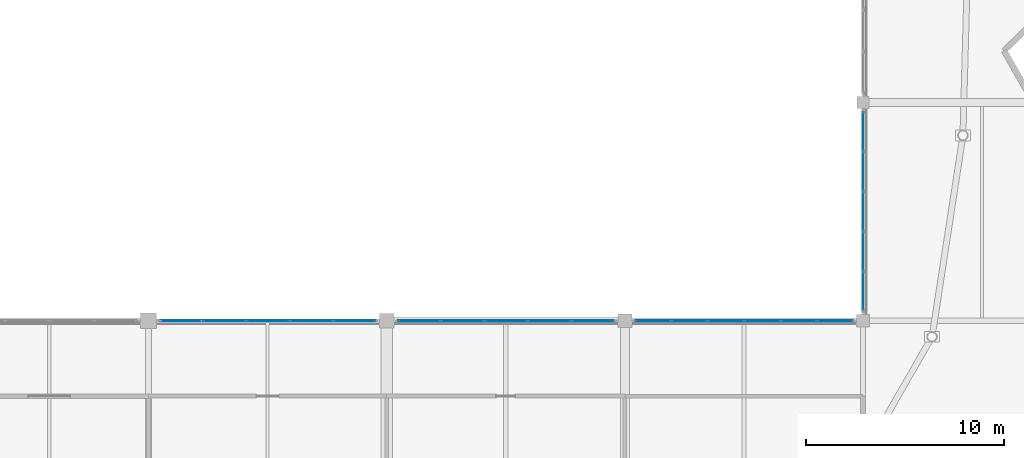
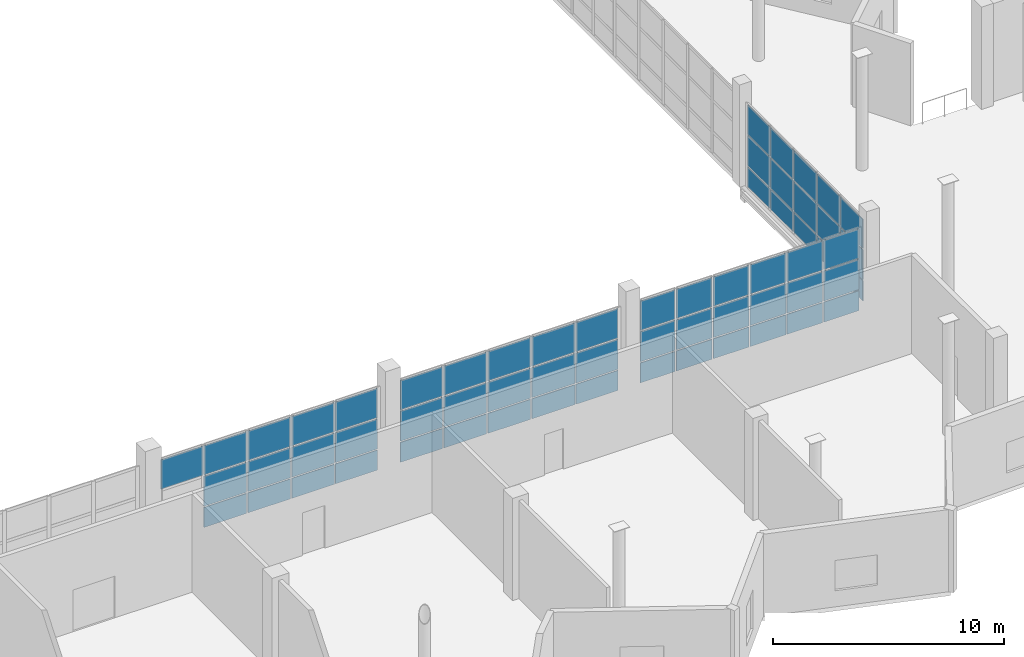
# One storey, part 31 of 49: 61 plates, 4 elements without a shape of their own.
"""IFC4 building model written with IfcOpenShell, lengths in metres."""

import ifcopenshell
import ifcopenshell.guid

model = None  # the IFC model being written
_history = None  # IfcOwnerHistory: only IFC2X3 demands one
_inside = {}  # id of a spatial element -> (the spatial element, [elements in it])
_under = {}  # id of a project, library or spatial element -> (it, [spatial elements below it])
_declared = {}  # id of a project -> (the project, [libraries it declares])
_typed = {}  # id of a type object -> (the type object, [elements of that type])
_made_of = {}  # id of a material, layer set ... -> (it, [elements and type objects made of it])


def new_model(schema):
    """Start an empty IFC model of exactly this schema.

    Asked for "IFC4X3", IfcOpenShell would pick the latest addendum, in which some entities
    have other attributes; the version numbers below select the first issue.
    IFC2X3 requires an IfcOwnerHistory on every rooted entity: one is made here for all.
    """
    global model, _history
    if schema == "IFC4X3":
        model = ifcopenshell.file(schema_version=(4, 3, 0, 0))
    else:
        model = ifcopenshell.file(schema=schema)
    _inside.clear()
    _under.clear()
    _declared.clear()
    _typed.clear()
    _made_of.clear()
    _history = None
    if model.schema == "IFC2X3":
        org = make("IfcOrganization", Name="unknown")
        user = make(
            "IfcPersonAndOrganization",
            ThePerson=make("IfcPerson", FamilyName="unknown"),
            TheOrganization=org,
        )
        app = make(
            "IfcApplication",
            ApplicationDeveloper=org,
            Version="unknown",
            ApplicationFullName="unknown",
            ApplicationIdentifier="unknown",
        )
        _history = make(
            "IfcOwnerHistory",
            OwningUser=user,
            OwningApplication=app,
            ChangeAction="ADDED",
            CreationDate=0,
        )
    return model


def make(cls, **values):
    """One entity of the class cls with the attributes given. An attribute that is None is left unset."""
    return model.create_entity(
        cls, **{name: value for name, value in values.items() if value is not None}
    )


def rooted(cls, **values):
    """An entity with a GlobalId (a new one), such as an element, a storey or a relation."""
    return make(cls, GlobalId=ifcopenshell.guid.new(), OwnerHistory=_history, **values)


def si_unit(unit_type, name, prefix=None):
    """IfcSIUnit, for example si_unit("LENGTHUNIT", "METRE", prefix="MILLI")."""
    return make("IfcSIUnit", UnitType=unit_type, Prefix=prefix, Name=name)


def assignment(units):
    """IfcUnitAssignment: the units of a project."""
    return None if units is None else make("IfcUnitAssignment", Units=units)


def point(xyz):
    """IfcCartesianPoint."""
    return None if xyz is None else make("IfcCartesianPoint", Coordinates=xyz)


def direction(xyz):
    """IfcDirection."""
    return None if xyz is None else make("IfcDirection", DirectionRatios=xyz)


def frame(location, z_axis=None, x_axis=None):
    """IfcAxis2Placement3D, a coordinate frame: its origin and axes. An axis left out is left unset."""
    return make(
        "IfcAxis2Placement3D",
        Location=point(location),
        Axis=direction(z_axis),
        RefDirection=direction(x_axis),
    )


def frame_2d(location, x_axis=None):
    """IfcAxis2Placement2D, a coordinate frame in the plane: its origin and x axis."""
    return make(
        "IfcAxis2Placement2D", Location=point(location), RefDirection=direction(x_axis)
    )


def origin():
    """The frame at (0, 0, 0) with its axes left unset."""
    return frame((0.0, 0.0, 0.0))


def origin_2d():
    """The frame at (0, 0) in the plane with its x axis left unset."""
    return frame_2d((0.0, 0.0))


def place(relative_to, where):
    """IfcLocalPlacement: puts the frame where relative to a parent placement (None: the world)."""
    return make(
        "IfcLocalPlacement", PlacementRelTo=relative_to, RelativePlacement=where
    )


def context(
    kind, dimensions, precision=None, world=None, true_north=None, identifier=None
):
    """IfcGeometricRepresentationContext, for example the 3D "Model" context."""
    return make(
        "IfcGeometricRepresentationContext",
        ContextIdentifier=identifier,
        ContextType=kind,
        CoordinateSpaceDimension=dimensions,
        Precision=precision,
        WorldCoordinateSystem=world,
        TrueNorth=true_north,
    )


def subcontext(parent, identifier, kind, view, scale=None):
    """IfcGeometricRepresentationSubContext, for example "Body" below "Model"."""
    return make(
        "IfcGeometricRepresentationSubContext",
        ContextIdentifier=identifier,
        ContextType=kind,
        ParentContext=parent,
        TargetScale=scale,
        TargetView=view,
    )


def project(units=None, contexts=None):
    """IfcProject with its units and contexts."""
    return rooted(
        "IfcProject",
        Name="project",
        RepresentationContexts=contexts,
        UnitsInContext=assignment(units),
    )


def spatial(cls, under=None, at=None, **own):
    """A site, building, storey or space (cls), placed at a placement, below another one or the project."""
    s = rooted(cls, ObjectPlacement=at, **own)
    if under is not None:
        _under.setdefault(under.id(), (under, []))[1].append(s)
    return s


def profile(cls, at=None, kind="AREA", **sizes):
    """A parametric profile (cls). Its sizes go by their IFC names, for example OverallWidth=200.0."""
    return make(cls, ProfileType=kind, Position=at, **sizes)


def rectangle(**sizes):
    """IfcRectangleProfileDef."""
    return profile("IfcRectangleProfileDef", **sizes)


def extrude(swept, where, along, depth):
    """IfcExtrudedAreaSolid: the profile swept, set in the frame where, extruded along a direction by depth."""
    return make(
        "IfcExtrudedAreaSolid",
        SweptArea=swept,
        Position=where,
        ExtrudedDirection=direction(along),
        Depth=depth,
    )


def shape(context_of_items, identifier, shape_type, items):
    """IfcShapeRepresentation: the items that make up one representation, for example the "Body"."""
    return make(
        "IfcShapeRepresentation",
        ContextOfItems=context_of_items,
        RepresentationIdentifier=identifier,
        RepresentationType=shape_type,
        Items=items,
    )


def material(Name=None, Category=None):
    """IfcMaterial."""
    return make("IfcMaterial", Name=Name, Category=Category)


def layer(
    of_material, thickness, ventilated=None, Name=None, Category=None, Priority=None
):
    """IfcMaterialLayer: one layer of a wall or slab, of a material (None: an air gap)."""
    return make(
        "IfcMaterialLayer",
        Material=of_material,
        LayerThickness=thickness,
        IsVentilated=ventilated,
        Name=Name,
        Category=Category,
        Priority=Priority,
    )


def layer_set(layers, Name=None):
    """IfcMaterialLayerSet."""
    return make("IfcMaterialLayerSet", MaterialLayers=layers, LayerSetName=Name)


def made_of(thing, what):
    """Note that an element or type object is made of a material, layer set ...; save() writes the relation."""
    if what is not None:
        _made_of.setdefault(what.id(), (what, []))[1].append(thing)
    return thing


def type_object(cls, material=None, **own):
    """A type object (cls), such as IfcWallType, which elements share."""
    return made_of(rooted(cls, **own), material)


def element(
    cls,
    number,
    at=None,
    inside=None,
    cuts=None,
    type_object=None,
    material=None,
    context=None,
    identifier="Body",
    shape_type=None,
    held_by="IfcProductDefinitionShape",
    body=None,
    shapes=None,
    **own,
):
    """One element of the class cls, such as IfcWall. Its Tag is "e" and its number.

    at: its placement. inside: the storey or other place that contains it. cuts: it is an
    opening in that element (IfcRelVoidsElement). A single representation is given by context,
    identifier, shape_type and body (its items); several are given by shapes. held_by: the class
    of the entity that holds the representations. save() writes the other relations.
    """
    e = rooted(cls, Tag="e%d" % number, ObjectPlacement=at, **own)
    if body is not None:
        shapes = [shape(context, identifier, shape_type, body)]
    if shapes is not None:
        e.Representation = make(held_by, Representations=shapes)
    if inside is not None:
        _inside.setdefault(inside.id(), (inside, []))[1].append(e)
    if cuts is not None:
        rooted(
            "IfcRelVoidsElement", RelatingBuildingElement=cuts, RelatedOpeningElement=e
        )
    if type_object is not None:
        _typed.setdefault(type_object.id(), (type_object, []))[1].append(e)
    return made_of(e, material)


def aggregate(whole, parts):
    """IfcRelAggregates: a whole, such as a stair, and the parts it consists of."""
    return rooted("IfcRelAggregates", RelatingObject=whole, RelatedObjects=parts)


def save(model, path):
    """Write the relations noted so far, then the file.

    IfcRelAggregates (storeys below a building ...), IfcRelContainedInSpatialStructure (elements
    in a storey), IfcRelDefinesByType, IfcRelAssociatesMaterial and IfcRelDeclares: one each for
    every whole, place, type object, material and project.
    """
    for whole, parts in _under.values():
        aggregate(whole, parts)
    for where, things in _inside.values():
        rooted(
            "IfcRelContainedInSpatialStructure",
            RelatedElements=things,
            RelatingStructure=where,
        )
    for kind, things in _typed.values():
        rooted("IfcRelDefinesByType", RelatedObjects=things, RelatingType=kind)
    for what, things in _made_of.values():
        rooted("IfcRelAssociatesMaterial", RelatedObjects=things, RelatingMaterial=what)
    for by, libraries in _declared.values():
        rooted("IfcRelDeclares", RelatingContext=by, RelatedDefinitions=libraries)
    model.write(path)


model = new_model("IFC4")

# Units and contexts
model_context = context("Model", 3, precision=1e-05, world=origin(), true_north=direction((0.0, 1.0)))
body_context = subcontext(model_context, "Body", "Model", "MODEL_VIEW")
ifc_project = project(units=[si_unit("LENGTHUNIT", "METRE"), si_unit("AREAUNIT", "SQUARE_METRE"), si_unit("VOLUMEUNIT", "CUBIC_METRE"), si_unit("PLANEANGLEUNIT", "RADIAN"), si_unit("MASSUNIT", "GRAM", prefix="KILO")], contexts=[model_context])

# Site, building, storey
site_placement = place(None, origin())
site = spatial("IfcSite", under=ifc_project, at=site_placement, CompositionType="ELEMENT")
building_placement = place(site_placement, origin())
building = spatial("IfcBuilding", under=site, at=building_placement, Name="Luwafu Chhajja Arena", CompositionType="ELEMENT")
storey_placement = place(building_placement, frame((0.0, 0.0, 24.300048828125)))
storey = spatial("IfcBuildingStorey", under=building, at=storey_placement, Name="L05", CompositionType="ELEMENT", Elevation=24.300048828125)

# Curtain wall, plates
ifc_material_1 = material(Name="Anodised bronze aluminium", Category="aluminium")
curtain_wall_type = type_object("IfcCurtainWallType", Name="VIP Club Terrace Curtain Wall", PredefinedType="USERDEFINED", material=ifc_material_1)
curtain_wall_1_placement = place(storey_placement, origin())
curtain_wall_1 = element("IfcCurtainWall", 1, at=curtain_wall_1_placement, inside=storey, type_object=curtain_wall_type, Name="L05 Bowl Viewing Curtain Wall CWR-L05-05", ObjectType="CURTAIN WALL", PredefinedType="USERDEFINED")
ifc_material_2 = material(Name="Solar-control laminated glass", Category="glass")
ifc_layer = layer(ifc_material_2, 0.035888671875, Name="Solar-control laminated glass")
ifc_layer_set = layer_set([ifc_layer], Name="Solar-control laminated glass")
plate_type = type_object("IfcPlateType", Name="Acoustic Broadcast Double Glazed CW Panel 36", PredefinedType="CURTAIN_PANEL", material=ifc_layer_set)
plate_1_placement = place(storey_placement, frame((105.650634765625, 22.0, 2.83251953125), z_axis=(0.0, 0.0, 1.0), x_axis=(1.0, 0.0, 0.0)))
plate_1 = element("IfcPlate", 2, at=plate_1_placement, type_object=plate_type, Name="CW-10 panel 1.3", PredefinedType="CURTAIN_PANEL", context=body_context, shape_type="SweptSolid", body=[
    extrude(rectangle(XDim=2.091552734375, YDim=0.035888671875, at=origin_2d()), origin(), (0.0, 0.0, 1.0), 1.552490234375),
])
plate_2_placement = place(storey_placement, frame((107.823486328125, 22.0, 0.06494140625), z_axis=(0.0, 0.0, 1.0), x_axis=(1.0, 0.0, 0.0)))
plate_2 = element("IfcPlate", 3, at=plate_2_placement, type_object=plate_type, Name="CW-10 panel 2.1", PredefinedType="CURTAIN_PANEL", context=body_context, shape_type="SweptSolid", body=[
    extrude(rectangle(XDim=2.1240234375, YDim=0.035888671875, at=origin_2d()), origin(), (0.0, 0.0, 1.0), 1.052490234375),
])
plate_3_placement = place(storey_placement, frame((107.823486328125, 22.0, 1.182373046875), z_axis=(0.0, 0.0, 1.0), x_axis=(1.0, 0.0, 0.0)))
plate_3 = element("IfcPlate", 4, at=plate_3_placement, type_object=plate_type, Name="CW-10 panel 2.2", PredefinedType="CURTAIN_PANEL", context=body_context, shape_type="SweptSolid", body=[
    extrude(rectangle(XDim=2.1240234375, YDim=0.035888671875, at=origin_2d()), origin(), (0.0, 0.0, 1.0), 1.5849609375),
])
plate_4_placement = place(storey_placement, frame((107.823486328125, 22.0, 2.83251953125), z_axis=(0.0, 0.0, 1.0), x_axis=(1.0, 0.0, 0.0)))
plate_4 = element("IfcPlate", 5, at=plate_4_placement, type_object=plate_type, Name="CW-10 panel 2.3", PredefinedType="CURTAIN_PANEL", context=body_context, shape_type="SweptSolid", body=[
    extrude(rectangle(XDim=2.1240234375, YDim=0.035888671875, at=origin_2d()), origin(), (0.0, 0.0, 1.0), 1.552490234375),
])
plate_5_placement = place(storey_placement, frame((110.012451171875, 22.0, 0.06494140625), z_axis=(0.0, 0.0, 1.0), x_axis=(1.0, 0.0, 0.0)))
plate_5 = element("IfcPlate", 6, at=plate_5_placement, type_object=plate_type, Name="CW-10 panel 3.1", PredefinedType="CURTAIN_PANEL", context=body_context, shape_type="SweptSolid", body=[
    extrude(rectangle(XDim=2.1240234375, YDim=0.035888671875, at=origin_2d()), origin(), (0.0, 0.0, 1.0), 1.052490234375),
])
plate_6_placement = place(storey_placement, frame((110.012451171875, 22.0, 1.182373046875), z_axis=(0.0, 0.0, 1.0), x_axis=(1.0, 0.0, 0.0)))
plate_6 = element("IfcPlate", 7, at=plate_6_placement, type_object=plate_type, Name="CW-10 panel 3.2", PredefinedType="CURTAIN_PANEL", context=body_context, shape_type="SweptSolid", body=[
    extrude(rectangle(XDim=2.1240234375, YDim=0.035888671875, at=origin_2d()), origin(), (0.0, 0.0, 1.0), 1.5849609375),
])
plate_7_placement = place(storey_placement, frame((110.012451171875, 22.0, 2.83251953125), z_axis=(0.0, 0.0, 1.0), x_axis=(1.0, 0.0, 0.0)))
plate_7 = element("IfcPlate", 8, at=plate_7_placement, type_object=plate_type, Name="CW-10 panel 3.3", PredefinedType="CURTAIN_PANEL", context=body_context, shape_type="SweptSolid", body=[
    extrude(rectangle(XDim=2.1240234375, YDim=0.035888671875, at=origin_2d()), origin(), (0.0, 0.0, 1.0), 1.552490234375),
])
plate_8_placement = place(storey_placement, frame((112.201416015625, 22.0, 0.06494140625), z_axis=(0.0, 0.0, 1.0), x_axis=(1.0, 0.0, 0.0)))
plate_8 = element("IfcPlate", 9, at=plate_8_placement, type_object=plate_type, Name="CW-10 panel 4.1", PredefinedType="CURTAIN_PANEL", context=body_context, shape_type="SweptSolid", body=[
    extrude(rectangle(XDim=2.1240234375, YDim=0.035888671875, at=origin_2d()), origin(), (0.0, 0.0, 1.0), 1.052490234375),
])
plate_9_placement = place(storey_placement, frame((112.201416015625, 22.0, 1.182373046875), z_axis=(0.0, 0.0, 1.0), x_axis=(1.0, 0.0, 0.0)))
plate_9 = element("IfcPlate", 10, at=plate_9_placement, type_object=plate_type, Name="CW-10 panel 4.2", PredefinedType="CURTAIN_PANEL", context=body_context, shape_type="SweptSolid", body=[
    extrude(rectangle(XDim=2.1240234375, YDim=0.035888671875, at=origin_2d()), origin(), (0.0, 0.0, 1.0), 1.5849609375),
])
plate_10_placement = place(storey_placement, frame((112.201416015625, 22.0, 2.83251953125), z_axis=(0.0, 0.0, 1.0), x_axis=(1.0, 0.0, 0.0)))
plate_10 = element("IfcPlate", 11, at=plate_10_placement, type_object=plate_type, Name="CW-10 panel 4.3", PredefinedType="CURTAIN_PANEL", context=body_context, shape_type="SweptSolid", body=[
    extrude(rectangle(XDim=2.1240234375, YDim=0.035888671875, at=origin_2d()), origin(), (0.0, 0.0, 1.0), 1.552490234375),
])
plate_11_placement = place(storey_placement, frame((114.374267578125, 22.0, 0.06494140625), z_axis=(0.0, 0.0, 1.0), x_axis=(1.0, 0.0, 0.0)))
plate_11 = element("IfcPlate", 12, at=plate_11_placement, type_object=plate_type, Name="CW-10 panel 5.1", PredefinedType="CURTAIN_PANEL", context=body_context, shape_type="SweptSolid", body=[
    extrude(rectangle(XDim=2.091552734375, YDim=0.035888671875, at=origin_2d()), origin(), (0.0, 0.0, 1.0), 1.052490234375),
])
plate_12_placement = place(storey_placement, frame((114.374267578125, 22.0, 1.182373046875), z_axis=(0.0, 0.0, 1.0), x_axis=(1.0, 0.0, 0.0)))
plate_12 = element("IfcPlate", 13, at=plate_12_placement, type_object=plate_type, Name="CW-10 panel 5.2", PredefinedType="CURTAIN_PANEL", context=body_context, shape_type="SweptSolid", body=[
    extrude(rectangle(XDim=2.091552734375, YDim=0.035888671875, at=origin_2d()), origin(), (0.0, 0.0, 1.0), 1.5849609375),
])
plate_13_placement = place(storey_placement, frame((114.374267578125, 22.0, 2.83251953125), z_axis=(0.0, 0.0, 1.0), x_axis=(1.0, 0.0, 0.0)))
plate_13 = element("IfcPlate", 14, at=plate_13_placement, type_object=plate_type, Name="CW-10 panel 5.3", PredefinedType="CURTAIN_PANEL", context=body_context, shape_type="SweptSolid", body=[
    extrude(rectangle(XDim=2.091552734375, YDim=0.035888671875, at=origin_2d()), origin(), (0.0, 0.0, 1.0), 1.552490234375),
])
aggregate(curtain_wall_1, [plate_1, plate_2, plate_3, plate_4, plate_5, plate_6, plate_7, plate_8, plate_9, plate_10, plate_11, plate_12, plate_13])

curtain_wall_2_placement = place(storey_placement, origin())
curtain_wall_2 = element("IfcCurtainWall", 15, at=curtain_wall_2_placement, inside=storey, type_object=curtain_wall_type, Name="L05 Bowl Viewing Curtain Wall CWR-L05-06", ObjectType="CURTAIN WALL", PredefinedType="USERDEFINED")
plate_14_placement = place(storey_placement, frame((117.630859375, 22.0, 0.06494140625), z_axis=(0.0, 0.0, 1.0), x_axis=(1.0, 0.0, 0.0)))
plate_14 = element("IfcPlate", 16, at=plate_14_placement, type_object=plate_type, Name="CW-10 panel 1.1", PredefinedType="CURTAIN_PANEL", context=body_context, shape_type="SweptSolid", body=[
    extrude(rectangle(XDim=2.1015625, YDim=0.035888671875, at=origin_2d()), origin(), (0.0, 0.0, 1.0), 1.052490234375),
])
plate_15_placement = place(storey_placement, frame((117.630859375, 22.0, 1.182373046875), z_axis=(0.0, 0.0, 1.0), x_axis=(1.0, 0.0, 0.0)))
plate_15 = element("IfcPlate", 17, at=plate_15_placement, type_object=plate_type, Name="CW-10 panel 1.2", PredefinedType="CURTAIN_PANEL", context=body_context, shape_type="SweptSolid", body=[
    extrude(rectangle(XDim=2.1015625, YDim=0.035888671875, at=origin_2d()), origin(), (0.0, 0.0, 1.0), 1.5849609375),
])
plate_16_placement = place(storey_placement, frame((117.630859375, 22.0, 2.83251953125), z_axis=(0.0, 0.0, 1.0), x_axis=(1.0, 0.0, 0.0)))
plate_16 = element("IfcPlate", 18, at=plate_16_placement, type_object=plate_type, Name="CW-10 panel 1.3", PredefinedType="CURTAIN_PANEL", context=body_context, shape_type="SweptSolid", body=[
    extrude(rectangle(XDim=2.1015625, YDim=0.035888671875, at=origin_2d()), origin(), (0.0, 0.0, 1.0), 1.552490234375),
])
plate_17_placement = place(storey_placement, frame((119.8134765625, 22.0, 0.06494140625), z_axis=(0.0, 0.0, 1.0), x_axis=(1.0, 0.0, 0.0)))
plate_17 = element("IfcPlate", 19, at=plate_17_placement, type_object=plate_type, Name="CW-10 panel 2.1", PredefinedType="CURTAIN_PANEL", context=body_context, shape_type="SweptSolid", body=[
    extrude(rectangle(XDim=2.134033203125, YDim=0.035888671875, at=origin_2d()), origin(), (0.0, 0.0, 1.0), 1.052490234375),
])
plate_18_placement = place(storey_placement, frame((119.8134765625, 22.0, 1.182373046875), z_axis=(0.0, 0.0, 1.0), x_axis=(1.0, 0.0, 0.0)))
plate_18 = element("IfcPlate", 20, at=plate_18_placement, type_object=plate_type, Name="CW-10 panel 2.2", PredefinedType="CURTAIN_PANEL", context=body_context, shape_type="SweptSolid", body=[
    extrude(rectangle(XDim=2.134033203125, YDim=0.035888671875, at=origin_2d()), origin(), (0.0, 0.0, 1.0), 1.5849609375),
])
plate_19_placement = place(storey_placement, frame((119.8134765625, 22.0, 2.83251953125), z_axis=(0.0, 0.0, 1.0), x_axis=(1.0, 0.0, 0.0)))
plate_19 = element("IfcPlate", 21, at=plate_19_placement, type_object=plate_type, Name="CW-10 panel 2.3", PredefinedType="CURTAIN_PANEL", context=body_context, shape_type="SweptSolid", body=[
    extrude(rectangle(XDim=2.134033203125, YDim=0.035888671875, at=origin_2d()), origin(), (0.0, 0.0, 1.0), 1.552490234375),
])
plate_20_placement = place(storey_placement, frame((122.012451171875, 22.0, 0.06494140625), z_axis=(0.0, 0.0, 1.0), x_axis=(1.0, 0.0, 0.0)))
plate_20 = element("IfcPlate", 22, at=plate_20_placement, type_object=plate_type, Name="CW-10 panel 3.1", PredefinedType="CURTAIN_PANEL", context=body_context, shape_type="SweptSolid", body=[
    extrude(rectangle(XDim=2.134033203125, YDim=0.035888671875, at=origin_2d()), origin(), (0.0, 0.0, 1.0), 1.052490234375),
])
plate_21_placement = place(storey_placement, frame((122.012451171875, 22.0, 1.182373046875), z_axis=(0.0, 0.0, 1.0), x_axis=(1.0, 0.0, 0.0)))
plate_21 = element("IfcPlate", 23, at=plate_21_placement, type_object=plate_type, Name="CW-10 panel 3.2", PredefinedType="CURTAIN_PANEL", context=body_context, shape_type="SweptSolid", body=[
    extrude(rectangle(XDim=2.134033203125, YDim=0.035888671875, at=origin_2d()), origin(), (0.0, 0.0, 1.0), 1.5849609375),
])
plate_22_placement = place(storey_placement, frame((122.012451171875, 22.0, 2.83251953125), z_axis=(0.0, 0.0, 1.0), x_axis=(1.0, 0.0, 0.0)))
plate_22 = element("IfcPlate", 24, at=plate_22_placement, type_object=plate_type, Name="CW-10 panel 3.3", PredefinedType="CURTAIN_PANEL", context=body_context, shape_type="SweptSolid", body=[
    extrude(rectangle(XDim=2.134033203125, YDim=0.035888671875, at=origin_2d()), origin(), (0.0, 0.0, 1.0), 1.552490234375),
])
plate_23_placement = place(storey_placement, frame((124.21142578125, 22.0, 0.06494140625), z_axis=(0.0, 0.0, 1.0), x_axis=(1.0, 0.0, 0.0)))
plate_23 = element("IfcPlate", 25, at=plate_23_placement, type_object=plate_type, Name="CW-10 panel 4.1", PredefinedType="CURTAIN_PANEL", context=body_context, shape_type="SweptSolid", body=[
    extrude(rectangle(XDim=2.134033203125, YDim=0.035888671875, at=origin_2d()), origin(), (0.0, 0.0, 1.0), 1.052490234375),
])
plate_24_placement = place(storey_placement, frame((124.21142578125, 22.0, 1.182373046875), z_axis=(0.0, 0.0, 1.0), x_axis=(1.0, 0.0, 0.0)))
plate_24 = element("IfcPlate", 26, at=plate_24_placement, type_object=plate_type, Name="CW-10 panel 4.2", PredefinedType="CURTAIN_PANEL", context=body_context, shape_type="SweptSolid", body=[
    extrude(rectangle(XDim=2.134033203125, YDim=0.035888671875, at=origin_2d()), origin(), (0.0, 0.0, 1.0), 1.5849609375),
])
plate_25_placement = place(storey_placement, frame((124.21142578125, 22.0, 2.83251953125), z_axis=(0.0, 0.0, 1.0), x_axis=(1.0, 0.0, 0.0)))
plate_25 = element("IfcPlate", 27, at=plate_25_placement, type_object=plate_type, Name="CW-10 panel 4.3", PredefinedType="CURTAIN_PANEL", context=body_context, shape_type="SweptSolid", body=[
    extrude(rectangle(XDim=2.134033203125, YDim=0.035888671875, at=origin_2d()), origin(), (0.0, 0.0, 1.0), 1.552490234375),
])
plate_26_placement = place(storey_placement, frame((126.394287109375, 22.0, 0.06494140625), z_axis=(0.0, 0.0, 1.0), x_axis=(1.0, 0.0, 0.0)))
plate_26 = element("IfcPlate", 28, at=plate_26_placement, type_object=plate_type, Name="CW-10 panel 5.1", PredefinedType="CURTAIN_PANEL", context=body_context, shape_type="SweptSolid", body=[
    extrude(rectangle(XDim=2.1015625, YDim=0.035888671875, at=origin_2d()), origin(), (0.0, 0.0, 1.0), 1.052490234375),
])
plate_27_placement = place(storey_placement, frame((126.394287109375, 22.0, 1.182373046875), z_axis=(0.0, 0.0, 1.0), x_axis=(1.0, 0.0, 0.0)))
plate_27 = element("IfcPlate", 29, at=plate_27_placement, type_object=plate_type, Name="CW-10 panel 5.2", PredefinedType="CURTAIN_PANEL", context=body_context, shape_type="SweptSolid", body=[
    extrude(rectangle(XDim=2.1015625, YDim=0.035888671875, at=origin_2d()), origin(), (0.0, 0.0, 1.0), 1.5849609375),
])
plate_28_placement = place(storey_placement, frame((126.394287109375, 22.0, 2.83251953125), z_axis=(0.0, 0.0, 1.0), x_axis=(1.0, 0.0, 0.0)))
plate_28 = element("IfcPlate", 30, at=plate_28_placement, type_object=plate_type, Name="CW-10 panel 5.3", PredefinedType="CURTAIN_PANEL", context=body_context, shape_type="SweptSolid", body=[
    extrude(rectangle(XDim=2.1015625, YDim=0.035888671875, at=origin_2d()), origin(), (0.0, 0.0, 1.0), 1.552490234375),
])
aggregate(curtain_wall_2, [plate_14, plate_15, plate_16, plate_17, plate_18, plate_19, plate_20, plate_21, plate_22, plate_23, plate_24, plate_25, plate_26, plate_27, plate_28])

curtain_wall_3_placement = place(storey_placement, origin())
curtain_wall_3 = element("IfcCurtainWall", 31, at=curtain_wall_3_placement, inside=storey, type_object=curtain_wall_type, Name="L05 Bowl Viewing Curtain Wall CWR-L05-07", ObjectType="CURTAIN WALL", PredefinedType="USERDEFINED")
plate_29_placement = place(storey_placement, frame((129.4267578125, 22.0, 0.06494140625), z_axis=(0.0, 0.0, 1.0), x_axis=(1.0, 0.0, 0.0)))
plate_29 = element("IfcPlate", 32, at=plate_29_placement, type_object=plate_type, Name="CW-10 panel 1.1", PredefinedType="CURTAIN_PANEL", context=body_context, shape_type="SweptSolid", body=[
    extrude(rectangle(XDim=1.743408203125, YDim=0.035888671875, at=origin_2d()), origin(), (0.0, 0.0, 1.0), 1.052490234375),
])
plate_30_placement = place(storey_placement, frame((129.4267578125, 22.0, 1.182373046875), z_axis=(0.0, 0.0, 1.0), x_axis=(1.0, 0.0, 0.0)))
plate_30 = element("IfcPlate", 33, at=plate_30_placement, type_object=plate_type, Name="CW-10 panel 1.2", PredefinedType="CURTAIN_PANEL", context=body_context, shape_type="SweptSolid", body=[
    extrude(rectangle(XDim=1.743408203125, YDim=0.035888671875, at=origin_2d()), origin(), (0.0, 0.0, 1.0), 1.5849609375),
])
plate_31_placement = place(storey_placement, frame((129.4267578125, 22.0, 2.83251953125), z_axis=(0.0, 0.0, 1.0), x_axis=(1.0, 0.0, 0.0)))
plate_31 = element("IfcPlate", 34, at=plate_31_placement, type_object=plate_type, Name="CW-10 panel 1.3", PredefinedType="CURTAIN_PANEL", context=body_context, shape_type="SweptSolid", body=[
    extrude(rectangle(XDim=1.743408203125, YDim=0.035888671875, at=origin_2d()), origin(), (0.0, 0.0, 1.0), 1.552490234375),
])
plate_32_placement = place(storey_placement, frame((131.251220703125, 22.0, 0.06494140625), z_axis=(0.0, 0.0, 1.0), x_axis=(1.0, 0.0, 0.0)))
plate_32 = element("IfcPlate", 35, at=plate_32_placement, type_object=plate_type, Name="CW-10 panel 2.1", PredefinedType="CURTAIN_PANEL", context=body_context, shape_type="SweptSolid", body=[
    extrude(rectangle(XDim=1.77587890625, YDim=0.035888671875, at=origin_2d()), origin(), (0.0, 0.0, 1.0), 1.052490234375),
])
plate_33_placement = place(storey_placement, frame((131.251220703125, 22.0, 1.182373046875), z_axis=(0.0, 0.0, 1.0), x_axis=(1.0, 0.0, 0.0)))
plate_33 = element("IfcPlate", 36, at=plate_33_placement, type_object=plate_type, Name="CW-10 panel 2.2", PredefinedType="CURTAIN_PANEL", context=body_context, shape_type="SweptSolid", body=[
    extrude(rectangle(XDim=1.77587890625, YDim=0.035888671875, at=origin_2d()), origin(), (0.0, 0.0, 1.0), 1.5849609375),
])
plate_34_placement = place(storey_placement, frame((131.251220703125, 22.0, 2.83251953125), z_axis=(0.0, 0.0, 1.0), x_axis=(1.0, 0.0, 0.0)))
plate_34 = element("IfcPlate", 37, at=plate_34_placement, type_object=plate_type, Name="CW-10 panel 2.3", PredefinedType="CURTAIN_PANEL", context=body_context, shape_type="SweptSolid", body=[
    extrude(rectangle(XDim=1.77587890625, YDim=0.035888671875, at=origin_2d()), origin(), (0.0, 0.0, 1.0), 1.552490234375),
])
plate_35_placement = place(storey_placement, frame((133.092041015625, 22.0, 0.06494140625), z_axis=(0.0, 0.0, 1.0), x_axis=(1.0, 0.0, 0.0)))
plate_35 = element("IfcPlate", 38, at=plate_35_placement, type_object=plate_type, Name="CW-10 panel 3.1", PredefinedType="CURTAIN_PANEL", context=body_context, shape_type="SweptSolid", body=[
    extrude(rectangle(XDim=1.77587890625, YDim=0.035888671875, at=origin_2d()), origin(), (0.0, 0.0, 1.0), 1.052490234375),
])
plate_36_placement = place(storey_placement, frame((133.092041015625, 22.0, 1.182373046875), z_axis=(0.0, 0.0, 1.0), x_axis=(1.0, 0.0, 0.0)))
plate_36 = element("IfcPlate", 39, at=plate_36_placement, type_object=plate_type, Name="CW-10 panel 3.2", PredefinedType="CURTAIN_PANEL", context=body_context, shape_type="SweptSolid", body=[
    extrude(rectangle(XDim=1.77587890625, YDim=0.035888671875, at=origin_2d()), origin(), (0.0, 0.0, 1.0), 1.5849609375),
])
plate_37_placement = place(storey_placement, frame((133.092041015625, 22.0, 2.83251953125), z_axis=(0.0, 0.0, 1.0), x_axis=(1.0, 0.0, 0.0)))
plate_37 = element("IfcPlate", 40, at=plate_37_placement, type_object=plate_type, Name="CW-10 panel 3.3", PredefinedType="CURTAIN_PANEL", context=body_context, shape_type="SweptSolid", body=[
    extrude(rectangle(XDim=1.77587890625, YDim=0.035888671875, at=origin_2d()), origin(), (0.0, 0.0, 1.0), 1.552490234375),
])
plate_38_placement = place(storey_placement, frame((134.932861328125, 22.0, 0.06494140625), z_axis=(0.0, 0.0, 1.0), x_axis=(1.0, 0.0, 0.0)))
plate_38 = element("IfcPlate", 41, at=plate_38_placement, type_object=plate_type, Name="CW-10 panel 4.1", PredefinedType="CURTAIN_PANEL", context=body_context, shape_type="SweptSolid", body=[
    extrude(rectangle(XDim=1.77587890625, YDim=0.035888671875, at=origin_2d()), origin(), (0.0, 0.0, 1.0), 1.052490234375),
])
plate_39_placement = place(storey_placement, frame((134.932861328125, 22.0, 1.182373046875), z_axis=(0.0, 0.0, 1.0), x_axis=(1.0, 0.0, 0.0)))
plate_39 = element("IfcPlate", 42, at=plate_39_placement, type_object=plate_type, Name="CW-10 panel 4.2", PredefinedType="CURTAIN_PANEL", context=body_context, shape_type="SweptSolid", body=[
    extrude(rectangle(XDim=1.77587890625, YDim=0.035888671875, at=origin_2d()), origin(), (0.0, 0.0, 1.0), 1.5849609375),
])
plate_40_placement = place(storey_placement, frame((134.932861328125, 22.0, 2.83251953125), z_axis=(0.0, 0.0, 1.0), x_axis=(1.0, 0.0, 0.0)))
plate_40 = element("IfcPlate", 43, at=plate_40_placement, type_object=plate_type, Name="CW-10 panel 4.3", PredefinedType="CURTAIN_PANEL", context=body_context, shape_type="SweptSolid", body=[
    extrude(rectangle(XDim=1.77587890625, YDim=0.035888671875, at=origin_2d()), origin(), (0.0, 0.0, 1.0), 1.552490234375),
])
plate_41_placement = place(storey_placement, frame((136.773681640625, 22.0, 0.06494140625), z_axis=(0.0, 0.0, 1.0), x_axis=(1.0, 0.0, 0.0)))
plate_41 = element("IfcPlate", 44, at=plate_41_placement, type_object=plate_type, Name="CW-10 panel 5.1", PredefinedType="CURTAIN_PANEL", context=body_context, shape_type="SweptSolid", body=[
    extrude(rectangle(XDim=1.77587890625, YDim=0.035888671875, at=origin_2d()), origin(), (0.0, 0.0, 1.0), 1.052490234375),
])
plate_42_placement = place(storey_placement, frame((136.773681640625, 22.0, 1.182373046875), z_axis=(0.0, 0.0, 1.0), x_axis=(1.0, 0.0, 0.0)))
plate_42 = element("IfcPlate", 45, at=plate_42_placement, type_object=plate_type, Name="CW-10 panel 5.2", PredefinedType="CURTAIN_PANEL", context=body_context, shape_type="SweptSolid", body=[
    extrude(rectangle(XDim=1.77587890625, YDim=0.035888671875, at=origin_2d()), origin(), (0.0, 0.0, 1.0), 1.5849609375),
])
plate_43_placement = place(storey_placement, frame((136.773681640625, 22.0, 2.83251953125), z_axis=(0.0, 0.0, 1.0), x_axis=(1.0, 0.0, 0.0)))
plate_43 = element("IfcPlate", 46, at=plate_43_placement, type_object=plate_type, Name="CW-10 panel 5.3", PredefinedType="CURTAIN_PANEL", context=body_context, shape_type="SweptSolid", body=[
    extrude(rectangle(XDim=1.77587890625, YDim=0.035888671875, at=origin_2d()), origin(), (0.0, 0.0, 1.0), 1.552490234375),
])
plate_44_placement = place(storey_placement, frame((138.598388671875, 22.0, 0.06494140625), z_axis=(0.0, 0.0, 1.0), x_axis=(1.0, 0.0, 0.0)))
plate_44 = element("IfcPlate", 47, at=plate_44_placement, type_object=plate_type, Name="CW-10 panel 6.1", PredefinedType="CURTAIN_PANEL", context=body_context, shape_type="SweptSolid", body=[
    extrude(rectangle(XDim=1.743408203125, YDim=0.035888671875, at=origin_2d()), origin(), (0.0, 0.0, 1.0), 1.052490234375),
])
plate_45_placement = place(storey_placement, frame((138.598388671875, 22.0, 1.182373046875), z_axis=(0.0, 0.0, 1.0), x_axis=(1.0, 0.0, 0.0)))
plate_45 = element("IfcPlate", 48, at=plate_45_placement, type_object=plate_type, Name="CW-10 panel 6.2", PredefinedType="CURTAIN_PANEL", context=body_context, shape_type="SweptSolid", body=[
    extrude(rectangle(XDim=1.743408203125, YDim=0.035888671875, at=origin_2d()), origin(), (0.0, 0.0, 1.0), 1.5849609375),
])
plate_46_placement = place(storey_placement, frame((138.598388671875, 22.0, 2.83251953125), z_axis=(0.0, 0.0, 1.0), x_axis=(1.0, 0.0, 0.0)))
plate_46 = element("IfcPlate", 49, at=plate_46_placement, type_object=plate_type, Name="CW-10 panel 6.3", PredefinedType="CURTAIN_PANEL", context=body_context, shape_type="SweptSolid", body=[
    extrude(rectangle(XDim=1.743408203125, YDim=0.035888671875, at=origin_2d()), origin(), (0.0, 0.0, 1.0), 1.552490234375),
])
aggregate(curtain_wall_3, [plate_29, plate_30, plate_31, plate_32, plate_33, plate_34, plate_35, plate_36, plate_37, plate_38, plate_39, plate_40, plate_41, plate_42, plate_43, plate_44, plate_45, plate_46])

curtain_wall_4_placement = place(storey_placement, origin())
curtain_wall_4 = element("IfcCurtainWall", 50, at=curtain_wall_4_placement, inside=storey, type_object=curtain_wall_type, Name="L05 Bowl Viewing Curtain Wall CWR-L05-20", ObjectType="CURTAIN WALL", PredefinedType="USERDEFINED")
plate_47_placement = place(storey_placement, frame((140.0, 23.49072265625, 0.06494140625), z_axis=(0.0, 0.0, 1.0), x_axis=(0.0, 1.0, 0.0)))
plate_47 = element("IfcPlate", 51, at=plate_47_placement, type_object=plate_type, Name="CW-10 panel 1.1", PredefinedType="CURTAIN_PANEL", context=body_context, shape_type="SweptSolid", body=[
    extrude(rectangle(XDim=1.92138671875, YDim=0.035888671875, at=origin_2d()), origin(), (0.0, 0.0, 1.0), 1.052490234375),
])
plate_48_placement = place(storey_placement, frame((140.0, 23.49072265625, 1.182373046875), z_axis=(0.0, 0.0, 1.0), x_axis=(0.0, 1.0, 0.0)))
plate_48 = element("IfcPlate", 52, at=plate_48_placement, type_object=plate_type, Name="CW-10 panel 1.2", PredefinedType="CURTAIN_PANEL", context=body_context, shape_type="SweptSolid", body=[
    extrude(rectangle(XDim=1.92138671875, YDim=0.035888671875, at=origin_2d()), origin(), (0.0, 0.0, 1.0), 1.5849609375),
])
plate_49_placement = place(storey_placement, frame((140.0, 23.49072265625, 2.83251953125), z_axis=(0.0, 0.0, 1.0), x_axis=(0.0, 1.0, 0.0)))
plate_49 = element("IfcPlate", 53, at=plate_49_placement, type_object=plate_type, Name="CW-10 panel 1.3", PredefinedType="CURTAIN_PANEL", context=body_context, shape_type="SweptSolid", body=[
    extrude(rectangle(XDim=1.92138671875, YDim=0.035888671875, at=origin_2d()), origin(), (0.0, 0.0, 1.0), 1.552490234375),
])
plate_50_placement = place(storey_placement, frame((140.0, 25.493408203125, 0.06494140625), z_axis=(0.0, 0.0, 1.0), x_axis=(0.0, 1.0, 0.0)))
plate_50 = element("IfcPlate", 54, at=plate_50_placement, type_object=plate_type, Name="CW-10 panel 2.1", PredefinedType="CURTAIN_PANEL", context=body_context, shape_type="SweptSolid", body=[
    extrude(rectangle(XDim=1.9541015625, YDim=0.035888671875, at=origin_2d()), origin(), (0.0, 0.0, 1.0), 1.052490234375),
])
plate_51_placement = place(storey_placement, frame((140.0, 25.493408203125, 1.182373046875), z_axis=(0.0, 0.0, 1.0), x_axis=(0.0, 1.0, 0.0)))
plate_51 = element("IfcPlate", 55, at=plate_51_placement, type_object=plate_type, Name="CW-10 panel 2.2", PredefinedType="CURTAIN_PANEL", context=body_context, shape_type="SweptSolid", body=[
    extrude(rectangle(XDim=1.9541015625, YDim=0.035888671875, at=origin_2d()), origin(), (0.0, 0.0, 1.0), 1.5849609375),
])
plate_52_placement = place(storey_placement, frame((140.0, 25.493408203125, 2.83251953125), z_axis=(0.0, 0.0, 1.0), x_axis=(0.0, 1.0, 0.0)))
plate_52 = element("IfcPlate", 56, at=plate_52_placement, type_object=plate_type, Name="CW-10 panel 2.3", PredefinedType="CURTAIN_PANEL", context=body_context, shape_type="SweptSolid", body=[
    extrude(rectangle(XDim=1.9541015625, YDim=0.035888671875, at=origin_2d()), origin(), (0.0, 0.0, 1.0), 1.552490234375),
])
plate_53_placement = place(storey_placement, frame((140.0, 27.512451171875, 0.06494140625), z_axis=(0.0, 0.0, 1.0), x_axis=(0.0, 1.0, 0.0)))
plate_53 = element("IfcPlate", 57, at=plate_53_placement, type_object=plate_type, Name="CW-10 panel 3.1", PredefinedType="CURTAIN_PANEL", context=body_context, shape_type="SweptSolid", body=[
    extrude(rectangle(XDim=1.9541015625, YDim=0.035888671875, at=origin_2d()), origin(), (0.0, 0.0, 1.0), 1.052490234375),
])
plate_54_placement = place(storey_placement, frame((140.0, 27.512451171875, 1.182373046875), z_axis=(0.0, 0.0, 1.0), x_axis=(0.0, 1.0, 0.0)))
plate_54 = element("IfcPlate", 58, at=plate_54_placement, type_object=plate_type, Name="CW-10 panel 3.2", PredefinedType="CURTAIN_PANEL", context=body_context, shape_type="SweptSolid", body=[
    extrude(rectangle(XDim=1.9541015625, YDim=0.035888671875, at=origin_2d()), origin(), (0.0, 0.0, 1.0), 1.5849609375),
])
plate_55_placement = place(storey_placement, frame((140.0, 27.512451171875, 2.83251953125), z_axis=(0.0, 0.0, 1.0), x_axis=(0.0, 1.0, 0.0)))
plate_55 = element("IfcPlate", 59, at=plate_55_placement, type_object=plate_type, Name="CW-10 panel 3.3", PredefinedType="CURTAIN_PANEL", context=body_context, shape_type="SweptSolid", body=[
    extrude(rectangle(XDim=1.9541015625, YDim=0.035888671875, at=origin_2d()), origin(), (0.0, 0.0, 1.0), 1.552490234375),
])
plate_56_placement = place(storey_placement, frame((140.0, 29.531494140625, 0.06494140625), z_axis=(0.0, 0.0, 1.0), x_axis=(0.0, 1.0, 0.0)))
plate_56 = element("IfcPlate", 60, at=plate_56_placement, type_object=plate_type, Name="CW-10 panel 4.1", PredefinedType="CURTAIN_PANEL", context=body_context, shape_type="SweptSolid", body=[
    extrude(rectangle(XDim=1.9541015625, YDim=0.035888671875, at=origin_2d()), origin(), (0.0, 0.0, 1.0), 1.052490234375),
])
plate_57_placement = place(storey_placement, frame((140.0, 29.531494140625, 1.182373046875), z_axis=(0.0, 0.0, 1.0), x_axis=(0.0, 1.0, 0.0)))
plate_57 = element("IfcPlate", 61, at=plate_57_placement, type_object=plate_type, Name="CW-10 panel 4.2", PredefinedType="CURTAIN_PANEL", context=body_context, shape_type="SweptSolid", body=[
    extrude(rectangle(XDim=1.9541015625, YDim=0.035888671875, at=origin_2d()), origin(), (0.0, 0.0, 1.0), 1.5849609375),
])
plate_58_placement = place(storey_placement, frame((140.0, 29.531494140625, 2.83251953125), z_axis=(0.0, 0.0, 1.0), x_axis=(0.0, 1.0, 0.0)))
plate_58 = element("IfcPlate", 62, at=plate_58_placement, type_object=plate_type, Name="CW-10 panel 4.3", PredefinedType="CURTAIN_PANEL", context=body_context, shape_type="SweptSolid", body=[
    extrude(rectangle(XDim=1.9541015625, YDim=0.035888671875, at=origin_2d()), origin(), (0.0, 0.0, 1.0), 1.552490234375),
])
plate_59_placement = place(storey_placement, frame((140.0, 31.5341796875, 0.06494140625), z_axis=(0.0, 0.0, 1.0), x_axis=(0.0, 1.0, 0.0)))
plate_59 = element("IfcPlate", 63, at=plate_59_placement, type_object=plate_type, Name="CW-10 panel 5.1", PredefinedType="CURTAIN_PANEL", context=body_context, shape_type="SweptSolid", body=[
    extrude(rectangle(XDim=1.92138671875, YDim=0.035888671875, at=origin_2d()), origin(), (0.0, 0.0, 1.0), 1.052490234375),
])
plate_60_placement = place(storey_placement, frame((140.0, 31.5341796875, 1.182373046875), z_axis=(0.0, 0.0, 1.0), x_axis=(0.0, 1.0, 0.0)))
plate_60 = element("IfcPlate", 64, at=plate_60_placement, type_object=plate_type, Name="CW-10 panel 5.2", PredefinedType="CURTAIN_PANEL", context=body_context, shape_type="SweptSolid", body=[
    extrude(rectangle(XDim=1.92138671875, YDim=0.035888671875, at=origin_2d()), origin(), (0.0, 0.0, 1.0), 1.5849609375),
])
plate_61_placement = place(storey_placement, frame((140.0, 31.5341796875, 2.83251953125), z_axis=(0.0, 0.0, 1.0), x_axis=(0.0, 1.0, 0.0)))
plate_61 = element("IfcPlate", 65, at=plate_61_placement, type_object=plate_type, Name="CW-10 panel 5.3", PredefinedType="CURTAIN_PANEL", context=body_context, shape_type="SweptSolid", body=[
    extrude(rectangle(XDim=1.92138671875, YDim=0.035888671875, at=origin_2d()), origin(), (0.0, 0.0, 1.0), 1.552490234375),
])
aggregate(curtain_wall_4, [plate_47, plate_48, plate_49, plate_50, plate_51, plate_52, plate_53, plate_54, plate_55, plate_56, plate_57, plate_58, plate_59, plate_60, plate_61])

save(model, "model.ifc")
